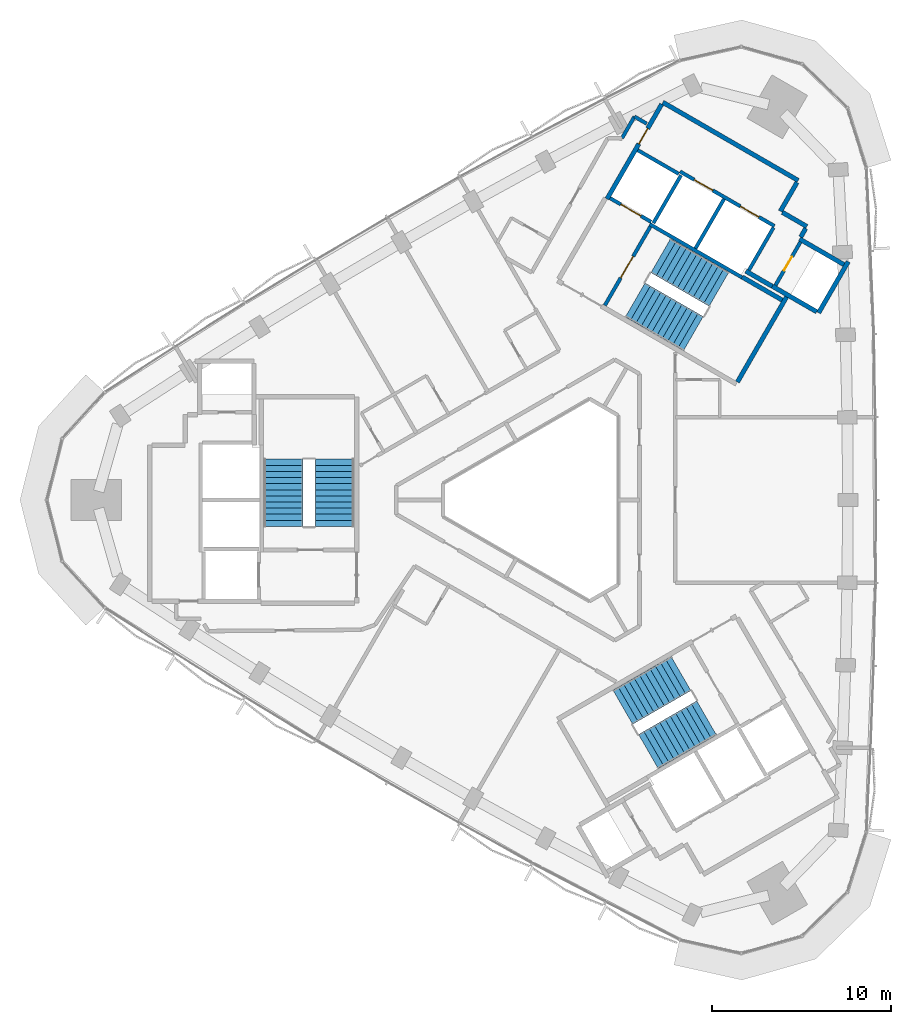
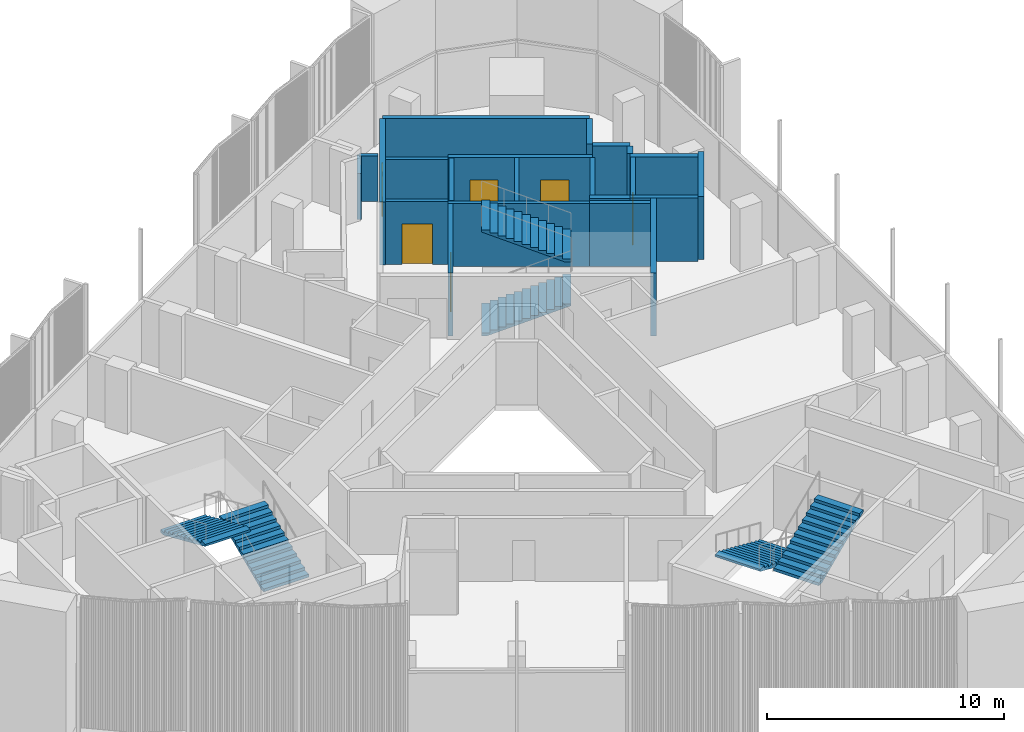
# One storey, part 11 of 14: 22 walls, 6 doors, 6 stair flights, 6 openings, 3 elements without a shape of their own.
"""IFC4 building model written with IfcOpenShell, lengths in metres."""

from ifc_helpers import new_model, si_unit, direction, frame, frame_2d, origin, place, context, subcontext, project, spatial, polyline, rectangle, outline, extrude, material, layer, layer_set, type_object, element, fill, aggregate, save


model = new_model("IFC4")

# Units and contexts
model_context = context("Model", 3, precision=1e-05, world=origin(), true_north=direction((0.0, 1.0)))
body_context = subcontext(model_context, "Body", "Model", "MODEL_VIEW")
ifc_project = project(units=[si_unit("LENGTHUNIT", "METRE"), si_unit("AREAUNIT", "SQUARE_METRE"), si_unit("VOLUMEUNIT", "CUBIC_METRE"), si_unit("PLANEANGLEUNIT", "RADIAN"), si_unit("MASSUNIT", "GRAM", prefix="KILO")], contexts=[model_context])

# Site, building, storey
site_placement = place(None, origin())
site = spatial("IfcSite", under=ifc_project, at=site_placement, CompositionType="ELEMENT")
building_placement = place(site_placement, origin())
building = spatial("IfcBuilding", under=site, at=building_placement, Name="Tamra Quay Hotel Tower", CompositionType="ELEMENT")
storey_placement = place(building_placement, frame((0.0, 0.0, 250.199951171875)))
storey = spatial("IfcBuildingStorey", under=building, at=storey_placement, Name="L63", CompositionType="ELEMENT", Elevation=250.199951171875)

# Wall, openings, doors
ifc_material_1 = material(Name="Concrete M70", Category="concrete")
ifc_layer_1 = layer(ifc_material_1, 0.199951171875)
ifc_layer_set_1 = layer_set([ifc_layer_1], Name="Concrete M70 core wall 200")
wall_type_1 = type_object("IfcWallType", Name="Concrete M70 core wall 200", PredefinedType="SHEAR", material=ifc_layer_set_1)
wall_1_placement = place(storey_placement, frame((12.552490234375, 15.341552734375, 0.0), z_axis=(0.0, 0.0, 1.0), x_axis=(-0.866030299012, 0.499991521122, 0.0)))
wall_1 = element("IfcWall", 1, at=wall_1_placement, inside=storey, type_object=wall_type_1, Name="CW2", PredefinedType="SHEAR", context=body_context, shape_type="SweptSolid", body=[
    extrude(rectangle(XDim=6.10009765625, YDim=0.199951171875, at=frame_2d((3.050048828125, 0.0))), origin(), (0.0, 0.0, 1.0), 3.25),
])
opening_1_placement = place(wall_1_placement, frame((1.0, 0.0, 0.0)))
opening_1 = element("IfcOpeningElement", 2, at=opening_1_placement, cuts=wall_1, Name="Opening LD", PredefinedType="OPENING", context=body_context, shape_type="SweptSolid", body=[
    extrude(rectangle(XDim=1.199951171875, YDim=2.10009765625, at=frame_2d((0.60009765625, 1.050048828125))), frame((0.0, 0.10986328125, 0.0), z_axis=(0.0, -1.0, 0.0), x_axis=(1.0, 0.0, 0.0)), (0.0, 0.0, 1.0), 0.219970703125),
])
opening_2_placement = place(wall_1_placement, frame((3.982177734375, 0.0, 0.0)))
opening_2 = element("IfcOpeningElement", 3, at=opening_2_placement, cuts=wall_1, Name="Opening LD", PredefinedType="OPENING", context=body_context, shape_type="SweptSolid", body=[
    extrude(rectangle(XDim=1.199951171875, YDim=2.10009765625, at=frame_2d((0.60009765625, 1.050048828125))), frame((0.0, 0.10986328125, 0.0), z_axis=(0.0, -1.0, 0.0), x_axis=(1.0, 0.0, 0.0)), (0.0, 0.0, 1.0), 0.219970703125),
])
ifc_material_2 = material(Name="Landing door LD 1200 double door sliding")
door_type_1 = type_object("IfcDoorType", Name="Landing door LD 1200 double door sliding", OperationType="DOUBLE_DOOR_SLIDING", PredefinedType="DOOR", material=ifc_material_2)
door_1_placement = place(opening_1_placement, origin())
door_1 = element("IfcDoor", 4, at=door_1_placement, inside=storey, type_object=door_type_1, Name="LD", OperationType="DOUBLE_DOOR_SLIDING", OverallHeight=2.10009765625, OverallWidth=1.199951171875, PredefinedType="DOOR", context=body_context, shape_type="SweptSolid", body=[
    extrude(rectangle(XDim=1.199951171875, YDim=2.10009765625, at=frame_2d((0.60009765625, 1.050048828125))), frame((0.0, 0.02490234375, 0.0), z_axis=(0.0, -1.0, 0.0), x_axis=(1.0, 0.0, 0.0)), (0.0, 0.0, 1.0), 0.050048828125),
])
fill(opening_1, door_1)
door_2_placement = place(opening_2_placement, origin())
door_2 = element("IfcDoor", 5, at=door_2_placement, inside=storey, type_object=door_type_1, Name="LD", OperationType="DOUBLE_DOOR_SLIDING", OverallHeight=2.10009765625, OverallWidth=1.199951171875, PredefinedType="DOOR", context=body_context, shape_type="SweptSolid", body=[
    extrude(rectangle(XDim=1.199951171875, YDim=2.10009765625, at=frame_2d((0.60009765625, 1.050048828125))), frame((0.0, 0.02490234375, 0.0), z_axis=(0.0, -1.0, 0.0), x_axis=(1.0, 0.0, 0.0)), (0.0, 0.0, 1.0), 0.050048828125),
])
fill(opening_2, door_2)

# Wall
wall_2_placement = place(storey_placement, frame((10.7431640625, 12.4599609375, 0.0), z_axis=(0.0, 0.0, 1.0), x_axis=(-0.866018848283, 0.500011354289, 0.0)))
element("IfcWall", 6, at=wall_2_placement, inside=storey, type_object=wall_type_1, Name="CW2", PredefinedType="SHEAR", context=body_context, shape_type="SweptSolid", body=[
    extrude(rectangle(XDim=5.973876953125, YDim=0.199951171875, at=frame_2d((2.98681640625, 0.0))), origin(), (0.0, 0.0, 1.0), 3.25),
])

# Wall, opening, door
wall_3_placement = place(storey_placement, frame((3.056640625, 10.89453125, 0.0), z_axis=(0.0, 0.0, 1.0), x_axis=(0.500027839223, 0.866009330205, 0.0)))
wall_3 = element("IfcWall", 7, at=wall_3_placement, inside=storey, type_object=wall_type_1, Name="CW2", PredefinedType="SHEAR", context=body_context, shape_type="SweptSolid", body=[
    extrude(rectangle(XDim=5.097900390625, YDim=0.199951171875, at=frame_2d((2.548828125, 0.0))), origin(), (0.0, 0.0, 1.0), 3.25),
])
opening_3_placement = place(wall_3_placement, frame((1.77392578125, 0.0, 0.0)))
opening_3 = element("IfcOpeningElement", 8, at=opening_3_placement, cuts=wall_3, Name="Opening FD2", PredefinedType="OPENING", context=body_context, shape_type="SweptSolid", body=[
    extrude(rectangle(XDim=1.39990234375, YDim=2.10009765625, at=frame_2d((0.699951171875, 1.050048828125))), frame((0.0, 0.10986328125, 0.0), z_axis=(0.0, -1.0, 0.0), x_axis=(1.0, 0.0, 0.0)), (0.0, 0.0, 1.0), 0.219970703125),
])
ifc_material_3 = material(Name="Core door FD2 1400x2100 RH")
door_type_2 = type_object("IfcDoorType", Name="Core door FD2 1400x2100 RH", OperationType="NOTDEFINED", PredefinedType="DOOR", material=ifc_material_3)
door_3_placement = place(opening_3_placement, origin())
door_3 = element("IfcDoor", 9, at=door_3_placement, inside=storey, type_object=door_type_2, Name="FD2", OperationType="SINGLE_SWING_RIGHT", OverallHeight=2.10009765625, OverallWidth=1.39990234375, PredefinedType="DOOR", context=body_context, shape_type="SweptSolid", body=[
    extrude(rectangle(XDim=1.39990234375, YDim=2.10009765625, at=frame_2d((0.699951171875, 1.050048828125))), frame((0.0, 0.02490234375, 0.0), z_axis=(0.0, -1.0, 0.0), x_axis=(1.0, 0.0, 0.0)), (0.0, 0.0, 1.0), 0.050048828125),
])
fill(opening_3, door_3)

# Wall
wall_4_placement = place(storey_placement, frame((8.131591796875, 14.08447265625, 0.0), z_axis=(0.0, 0.0, 1.0), x_axis=(0.500030834389, 0.86600760081, 0.0)))
element("IfcWall", 10, at=wall_4_placement, inside=storey, type_object=wall_type_1, Name="CW2", PredefinedType="SHEAR", context=body_context, shape_type="SweptSolid", body=[
    extrude(rectangle(XDim=3.197998046875, YDim=0.199951171875, at=frame_2d((1.59912109375, 0.0))), origin(), (0.0, 0.0, 1.0), 3.25),
])

# Wall, opening, door
wall_5_placement = place(storey_placement, frame((14.0078125, 14.442138671875, 0.0), z_axis=(0.0, 0.0, 1.0), x_axis=(-0.499986818241, -0.866033014143, 0.0)))
wall_5 = element("IfcWall", 11, at=wall_5_placement, inside=storey, type_object=wall_type_1, Name="CW2", PredefinedType="SHEAR", context=body_context, shape_type="SweptSolid", body=[
    extrude(rectangle(XDim=2.7978515625, YDim=0.199951171875, at=frame_2d((1.39892578125, 0.0))), origin(), (0.0, 0.0, 1.0), 3.25),
])
opening_4_placement = place(wall_5_placement, frame((0.948974609375, 0.0, 0.0)))
opening_4 = element("IfcOpeningElement", 12, at=opening_4_placement, cuts=wall_5, Name="Opening D1", PredefinedType="OPENING", context=body_context, shape_type="SweptSolid", body=[
    extrude(rectangle(XDim=0.89990234375, YDim=2.10009765625, at=frame_2d((0.449951171875, 1.050048828125))), frame((0.0, 0.10986328125, 0.0), z_axis=(0.0, -1.0, 0.0), x_axis=(1.0, 0.0, 0.0)), (0.0, 0.0, 1.0), 0.219970703125),
])
ifc_material_4 = material(Name="Core door D1 900x2100 LH")
door_type_3 = type_object("IfcDoorType", Name="Core door D1 900x2100 LH", OperationType="NOTDEFINED", PredefinedType="DOOR", material=ifc_material_4)
door_4_placement = place(opening_4_placement, origin())
door_4 = element("IfcDoor", 13, at=door_4_placement, inside=storey, type_object=door_type_3, Name="D1", OperationType="SINGLE_SWING_LEFT", OverallHeight=2.10009765625, OverallWidth=0.89990234375, PredefinedType="DOOR", context=body_context, shape_type="SweptSolid", body=[
    extrude(rectangle(XDim=0.89990234375, YDim=2.10009765625, at=frame_2d((0.449951171875, 1.050048828125))), frame((0.0, 0.02490234375, 0.0), z_axis=(0.0, -1.0, 0.0), x_axis=(1.0, 0.0, 0.0)), (0.0, 0.0, 1.0), 0.050048828125),
])
fill(opening_4, door_4)

# Walls
wall_6_placement = place(storey_placement, frame((12.50244140625, 15.2548828125, 0.0), z_axis=(0.0, 0.0, 1.0), x_axis=(-0.499965018551, -0.866045599391, 0.0)))
element("IfcWall", 14, at=wall_6_placement, inside=storey, type_object=wall_type_1, Name="CW2", PredefinedType="SHEAR", context=body_context, shape_type="SweptSolid", body=[
    extrude(rectangle(XDim=2.759033203125, YDim=0.199951171875, at=frame_2d((1.37939453125, 0.0))), origin(), (0.0, 0.0, 1.0), 3.25),
])
wall_7_placement = place(storey_placement, frame((7.324462890625, 18.1865234375, 0.0), z_axis=(0.0, 0.0, 1.0), x_axis=(-0.499967891604, -0.866043940782, 0.0)))
element("IfcWall", 15, at=wall_7_placement, inside=storey, type_object=wall_type_1, Name="CW2", PredefinedType="SHEAR", context=body_context, shape_type="SweptSolid", body=[
    extrude(rectangle(XDim=3.099853515625, YDim=0.199951171875, at=frame_2d((1.5498046875, 0.0))), origin(), (0.0, 0.0, 1.0), 3.25),
])

# Wall, opening, door
wall_8_placement = place(storey_placement, frame((5.646240234375, 15.575927734375, 0.0), z_axis=(0.0, 0.0, 1.0), x_axis=(-0.866018407898, 0.500012117035, 0.0)))
wall_8 = element("IfcWall", 16, at=wall_8_placement, inside=storey, type_object=wall_type_1, Name="CW2", PredefinedType="SHEAR", context=body_context, shape_type="SweptSolid", body=[
    extrude(rectangle(XDim=2.65087890625, YDim=0.199951171875, at=frame_2d((1.325439453125, 0.0))), origin(), (0.0, 0.0, 1.0), 3.25),
])
opening_5_placement = place(wall_8_placement, frame((0.65185546875, 0.0, 0.0)))
opening_5 = element("IfcOpeningElement", 17, at=opening_5_placement, cuts=wall_8, Name="Opening LD", PredefinedType="OPENING", context=body_context, shape_type="SweptSolid", body=[
    extrude(rectangle(XDim=1.300048828125, YDim=2.10009765625, at=frame_2d((0.64990234375, 1.050048828125))), frame((0.0, 0.10986328125, 0.0), z_axis=(0.0, -1.0, 0.0), x_axis=(1.0, 0.0, 0.0)), (0.0, 0.0, 1.0), 0.219970703125),
])
ifc_material_5 = material(Name="Landing door LD 1300 sliding to right")
door_type_4 = type_object("IfcDoorType", Name="Landing door LD 1300 sliding to right", OperationType="NOTDEFINED", PredefinedType="DOOR", material=ifc_material_5)
door_5_placement = place(opening_5_placement, origin())
door_5 = element("IfcDoor", 18, at=door_5_placement, inside=storey, type_object=door_type_4, Name="LD", OperationType="SLIDING_TO_RIGHT", OverallHeight=2.10009765625, OverallWidth=1.300048828125, PredefinedType="DOOR", context=body_context, shape_type="SweptSolid", body=[
    extrude(rectangle(XDim=1.300048828125, YDim=2.10009765625, at=frame_2d((0.64990234375, 1.050048828125))), frame((0.0, 0.02490234375, 0.0), z_axis=(0.0, -1.0, 0.0), x_axis=(1.0, 0.0, 0.0)), (0.0, 0.0, 1.0), 0.050048828125),
])
fill(opening_5, door_5)

# Walls
wall_9_placement = place(storey_placement, frame((7.1962890625, 18.260498046875, 0.0), z_axis=(0.0, 0.0, 1.0), x_axis=(-0.866018407898, 0.500012117035, 0.0)))
element("IfcWall", 19, at=wall_9_placement, inside=storey, type_object=wall_type_1, Name="CW2", PredefinedType="SHEAR", context=body_context, shape_type="SweptSolid", body=[
    extrude(rectangle(XDim=2.65087890625, YDim=0.199951171875, at=frame_2d((1.325439453125, 0.0))), origin(), (0.0, 0.0, 1.0), 3.25),
])
ifc_layer_2 = layer(ifc_material_1, 0.25)
ifc_layer_set_2 = layer_set([ifc_layer_2], Name="Concrete M70 core wall 250")
wall_type_2 = type_object("IfcWallType", Name="Concrete M70 core wall 250", PredefinedType="SHEAR", material=ifc_layer_set_2)
wall_10_placement = place(storey_placement, frame((6.303955078125, 22.268798828125, 0.0), z_axis=(0.0, 0.0, 1.0), x_axis=(0.866022959057, -0.500004234368, 0.0)))
element("IfcWall", 20, at=wall_10_placement, inside=storey, type_object=wall_type_2, Name="CW1", PredefinedType="SHEAR", context=body_context, shape_type="SweptSolid", body=[
    extrude(rectangle(XDim=8.75, YDim=0.25, at=frame_2d((4.375, 0.0))), origin(), (0.0, 0.0, 1.0), 3.25),
])

# Wall, opening, door
wall_11_placement = place(storey_placement, frame((3.178955078125, 16.856201171875, 0.0), z_axis=(0.0, 0.0, 1.0), x_axis=(0.500001955336, 0.866024274868, 0.0)))
wall_11 = element("IfcWall", 21, at=wall_11_placement, inside=storey, type_object=wall_type_2, Name="CW1", PredefinedType="SHEAR", context=body_context, shape_type="SweptSolid", body=[
    extrude(rectangle(XDim=6.12451171875, YDim=0.25, at=frame_2d((3.062255859375, 0.0))), origin(), (0.0, 0.0, 1.0), 3.25),
])
opening_6_placement = place(wall_11_placement, frame((3.562744140625, 0.0, 0.0)))
opening_6 = element("IfcOpeningElement", 22, at=opening_6_placement, cuts=wall_11, Name="Opening FD3", PredefinedType="OPENING", context=body_context, shape_type="SweptSolid", body=[
    extrude(rectangle(XDim=1.0, YDim=2.10009765625, at=frame_2d((0.5, 1.050048828125))), frame((0.0, 0.135009765625, 0.0), z_axis=(0.0, -1.0, 0.0), x_axis=(1.0, 0.0, 0.0)), (0.0, 0.0, 1.0), 0.27001953125),
])
ifc_material_6 = material(Name="Core door FD3 1000x2100 LH")
door_type_5 = type_object("IfcDoorType", Name="Core door FD3 1000x2100 LH", OperationType="NOTDEFINED", PredefinedType="DOOR", material=ifc_material_6)
door_6_placement = place(opening_6_placement, origin())
door_6 = element("IfcDoor", 23, at=door_6_placement, inside=storey, type_object=door_type_5, Name="FD3", OperationType="SINGLE_SWING_LEFT", OverallHeight=2.10009765625, OverallWidth=1.0, PredefinedType="DOOR", context=body_context, shape_type="SweptSolid", body=[
    extrude(rectangle(XDim=1.0, YDim=2.10009765625, at=frame_2d((0.5, 1.050048828125))), frame((0.0, 0.02490234375, 0.0), z_axis=(0.0, -1.0, 0.0), x_axis=(1.0, 0.0, 0.0)), (0.0, 0.0, 1.0), 0.050048828125),
])
fill(opening_6, door_6)

# Walls
wall_12_placement = place(storey_placement, frame((13.237548828125, 11.3779296875, 0.0), z_axis=(0.0, 0.0, 1.0), x_axis=(-0.500008851346, -0.866020293397, 0.0)))
element("IfcWall", 24, at=wall_12_placement, inside=storey, type_object=wall_type_2, Name="CW1", PredefinedType="SHEAR", context=body_context, shape_type="SweptSolid", body=[
    extrude(rectangle(XDim=5.509765625, YDim=0.25, at=frame_2d((2.7548828125, 0.0))), origin(), (0.0, 0.0, 1.0), 3.25),
])
wall_13_placement = place(storey_placement, frame((16.68359375, 13.3466796875, 0.0), z_axis=(0.0, 0.0, 1.0), x_axis=(-0.499998874531, -0.866026053573, 0.0)))
element("IfcWall", 25, at=wall_13_placement, inside=storey, type_object=wall_type_2, Name="CW1", PredefinedType="SHEAR", context=body_context, shape_type="SweptSolid", body=[
    extrude(rectangle(XDim=3.31298828125, YDim=0.25, at=frame_2d((1.656494140625, 0.0))), origin(), (0.0, 0.0, 1.0), 3.25),
])
wall_14_placement = place(storey_placement, frame((14.91845703125, 10.540283203125, 0.0), z_axis=(0.0, 0.0, 1.0), x_axis=(-0.866063538972, 0.499933942099, 0.0)))
element("IfcWall", 26, at=wall_14_placement, inside=storey, type_object=wall_type_2, Name="CW1", PredefinedType="SHEAR", context=body_context, shape_type="SweptSolid", body=[
    extrude(rectangle(XDim=2.86474609375, YDim=0.25, at=frame_2d((1.432373046875, 0.0))), origin(), (0.0, 0.0, 1.0), 3.25),
])
wall_15_placement = place(storey_placement, frame((13.962646484375, 14.61376953125, 0.0), z_axis=(0.0, 0.0, 1.0), x_axis=(0.866042235819, -0.499970844928, 0.0)))
element("IfcWall", 27, at=wall_15_placement, inside=storey, type_object=wall_type_2, Name="CW1", PredefinedType="SHEAR", context=body_context, shape_type="SweptSolid", body=[
    extrude(rectangle(XDim=2.864501953125, YDim=0.25, at=frame_2d((1.43212890625, 0.0))), origin(), (0.0, 0.0, 1.0), 3.25),
])
wall_16_placement = place(storey_placement, frame((10.756591796875, 12.481201171875, 0.0), z_axis=(0.0, 0.0, 1.0), x_axis=(0.866022940537, -0.500004266446, 0.0)))
element("IfcWall", 28, at=wall_16_placement, inside=storey, type_object=wall_type_2, Name="CW1", PredefinedType="SHEAR", context=body_context, shape_type="SweptSolid", body=[
    extrude(rectangle(XDim=2.57470703125, YDim=0.25, at=frame_2d((1.287353515625, 0.0))), origin(), (0.0, 0.0, 1.0), 3.25),
])
wall_17_placement = place(storey_placement, frame((13.819091796875, 17.78515625, 0.0), z_axis=(0.0, 0.0, 1.0), x_axis=(-0.500039802285, -0.866002422705, 0.0)))
element("IfcWall", 29, at=wall_17_placement, inside=storey, type_object=wall_type_2, Name="CW1", PredefinedType="SHEAR", context=body_context, shape_type="SweptSolid", body=[
    extrude(rectangle(XDim=1.864501953125, YDim=0.25, at=frame_2d((0.93212890625, 0.0))), origin(), (0.0, 0.0, 1.0), 3.25),
])
wall_18_placement = place(storey_placement, frame((12.4326171875, 11.9638671875, 0.0), z_axis=(0.0, 0.0, 1.0), x_axis=(-0.866038183914, 0.499977863513, 0.0)))
element("IfcWall", 30, at=wall_18_placement, inside=storey, type_object=wall_type_2, Name="CW1", PredefinedType="SHEAR", context=body_context, shape_type="SweptSolid", body=[
    extrude(rectangle(XDim=1.7099609375, YDim=0.25, at=frame_2d((0.85498046875, 0.0))), origin(), (0.0, 0.0, 1.0), 3.25),
])
wall_19_placement = place(storey_placement, frame((12.995361328125, 16.107666015625, 0.0), z_axis=(0.0, 0.0, 1.0), x_axis=(0.866044474677, -0.49996696679, 0.0)))
element("IfcWall", 31, at=wall_19_placement, inside=storey, type_object=wall_type_2, Name="CW1", PredefinedType="SHEAR", context=body_context, shape_type="SweptSolid", body=[
    extrude(rectangle(XDim=1.58447265625, YDim=0.25, at=frame_2d((0.792236328125, 0.0))), origin(), (0.0, 0.0, 1.0), 3.25),
])
wall_20_placement = place(storey_placement, frame((14.304931640625, 15.206787109375, 0.0), z_axis=(0.0, 0.0, 1.0), x_axis=(-0.499848422343, -0.866112899501, 0.0)))
element("IfcWall", 32, at=wall_20_placement, inside=storey, type_object=wall_type_2, Name="CW1", PredefinedType="SHEAR", context=body_context, shape_type="SweptSolid", body=[
    extrude(rectangle(XDim=0.559326171875, YDim=0.25, at=frame_2d((0.27978515625, 0.0))), origin(), (0.0, 0.0, 1.0), 3.25),
])
ifc_material_7 = material(Name="Partition corridor wall")
ifc_layer_3 = layer(ifc_material_7, 0.199951171875)
ifc_layer_set_3 = layer_set([ifc_layer_3], Name="Partition corridor wall")
wall_type_3 = type_object("IfcWallType", Name="Partition corridor wall", PredefinedType="PARTITIONING", material=ifc_layer_set_3)
wall_21_placement = place(storey_placement, frame((4.01611328125, 20.256103515625, 0.0), z_axis=(0.0, 0.0, 1.0), x_axis=(0.500135180047, 0.865947343479, 0.0)))
element("IfcWall", 33, at=wall_21_placement, inside=storey, type_object=wall_type_3, Name="W-C", PredefinedType="PARTITIONING", context=body_context, shape_type="SweptSolid", body=[
    extrude(rectangle(XDim=1.3994140625, YDim=0.199951171875, at=frame_2d((0.69970703125, 0.0))), origin(), (0.0, 0.0, 1.0), 2.35009765625),
])
wall_22_placement = place(storey_placement, frame((4.716064453125, 21.468017578125, 0.0), z_axis=(0.0, 0.0, 1.0), x_axis=(0.865912682783, -0.500195187698, 0.0)))
element("IfcWall", 34, at=wall_22_placement, inside=storey, type_object=wall_type_3, Name="W-C", PredefinedType="PARTITIONING", context=body_context, shape_type="SweptSolid", body=[
    extrude(rectangle(XDim=0.789794921875, YDim=0.199951171875, at=frame_2d((0.39501953125, 0.0))), origin(), (0.0, 0.0, 1.0), 2.35009765625),
])

# Stair, stair flights
ifc_material_8 = material(Name="Exit stair 2200 24 risers 150.0 going 342")
stair_type = type_object("IfcStairType", Name="Exit stair 2200 24 risers 150.0 going 342", PredefinedType="HALF_TURN_STAIR", material=ifc_material_8)
stair_1_placement = place(storey_placement, origin())
stair_1 = element("IfcStair", 35, at=stair_1_placement, inside=storey, type_object=stair_type, Name="L63 Exit stair ST3", PredefinedType="HALF_TURN_STAIR")
ifc_material_9 = material(Name="Exit stair flight 2200 12 risers 150.0")
stair_flight_type = type_object("IfcStairFlightType", Name="Exit stair flight 2200 12 risers 150.0", PredefinedType="STRAIGHT", material=ifc_material_9)
stair_flight_1_placement = place(storey_placement, frame((-12.082275390625, -1.47998046875, 0.0), z_axis=(0.0, 0.0, 1.0), x_axis=(0.0, 1.0, 0.0)))
stair_flight_1 = element("IfcStairFlight", 36, at=stair_flight_1_placement, type_object=stair_flight_type, Name="ST3 flight 1", NumberOfRisers=12, NumberOfTreads=11, PredefinedType="STRAIGHT", RiserHeight=0.15, TreadLength=0.342, context=body_context, shape_type="SweptSolid", body=[
    extrude(outline(polyline([(0.0, 0.0), (0.0, 0.14990234375), (0.342041015625, 0.14990234375), (0.342041015625, 0.300048828125), (0.68408203125, 0.300048828125), (0.68408203125, 0.449951171875), (1.02587890625, 0.449951171875), (1.02587890625, 0.60009765625), (1.367919921875, 0.60009765625), (1.367919921875, 0.75), (1.7099609375, 0.75), (1.7099609375, 0.89990234375), (2.052001953125, 0.89990234375), (2.052001953125, 1.050048828125), (2.39404296875, 1.050048828125), (2.39404296875, 1.199951171875), (2.736083984375, 1.199951171875), (2.736083984375, 1.35009765625), (3.077880859375, 1.35009765625), (3.077880859375, 1.5), (3.419921875, 1.5), (3.419921875, 1.64990234375), (3.761962890625, 1.64990234375), (3.761962890625, 1.800048828125), (3.761962890625, 1.540771484375), (0.249267578125, 0.0), (0.0, 0.0)])), frame((0.0, 1.10009765625, 0.0), z_axis=(0.0, -1.0, 0.0), x_axis=(1.0, 0.0, 0.0)), (0.0, 0.0, 1.0), 2.199951171875),
])
stair_flight_2_placement = place(storey_placement, frame((-14.94140625, 2.281982421875, 1.800048828125), z_axis=(0.0, 0.0, 1.0), x_axis=(0.0, -1.0, 0.0)))
stair_flight_2 = element("IfcStairFlight", 37, at=stair_flight_2_placement, type_object=stair_flight_type, Name="ST3 flight 2", NumberOfRisers=12, NumberOfTreads=11, PredefinedType="STRAIGHT", RiserHeight=0.15, TreadLength=0.342, context=body_context, shape_type="SweptSolid", body=[
    extrude(outline(polyline([(0.0, 0.0), (0.0, 0.14990234375), (0.342041015625, 0.14990234375), (0.342041015625, 0.300048828125), (0.68408203125, 0.300048828125), (0.68408203125, 0.449951171875), (1.02587890625, 0.449951171875), (1.02587890625, 0.60009765625), (1.367919921875, 0.60009765625), (1.367919921875, 0.75), (1.7099609375, 0.75), (1.7099609375, 0.89990234375), (2.052001953125, 0.89990234375), (2.052001953125, 1.050048828125), (2.39404296875, 1.050048828125), (2.39404296875, 1.199951171875), (2.736083984375, 1.199951171875), (2.736083984375, 1.35009765625), (3.077880859375, 1.35009765625), (3.077880859375, 1.5), (3.419921875, 1.5), (3.419921875, 1.64990234375), (3.761962890625, 1.64990234375), (3.761962890625, 1.800048828125), (3.761962890625, 1.540771484375), (0.249267578125, 0.0), (0.0, 0.0)])), frame((0.0, 1.10009765625, 0.0), z_axis=(0.0, -1.0, 0.0), x_axis=(1.0, 0.0, 0.0)), (0.0, 0.0, 1.0), 2.199951171875),
])
aggregate(stair_1, [stair_flight_1, stair_flight_2])

stair_2_placement = place(storey_placement, origin())
stair_2 = element("IfcStair", 38, at=stair_2_placement, inside=storey, type_object=stair_type, Name="L63 Exit stair ST1", PredefinedType="HALF_TURN_STAIR")
stair_flight_3_placement = place(storey_placement, frame((4.75927734375, 11.20361328125, 0.0), z_axis=(0.0, 0.0, 1.0), x_axis=(0.866025403784, -0.5, 0.0)))
stair_flight_3 = element("IfcStairFlight", 39, at=stair_flight_3_placement, type_object=stair_flight_type, Name="ST1 flight 1", NumberOfRisers=12, NumberOfTreads=11, PredefinedType="STRAIGHT", RiserHeight=0.15, TreadLength=0.342, context=body_context, shape_type="SweptSolid", body=[
    extrude(outline(polyline([(0.0, 0.0), (0.0, 0.14990234375), (0.342041015625, 0.14990234375), (0.342041015625, 0.300048828125), (0.68408203125, 0.300048828125), (0.68408203125, 0.449951171875), (1.02587890625, 0.449951171875), (1.02587890625, 0.60009765625), (1.367919921875, 0.60009765625), (1.367919921875, 0.75), (1.7099609375, 0.75), (1.7099609375, 0.89990234375), (2.052001953125, 0.89990234375), (2.052001953125, 1.050048828125), (2.39404296875, 1.050048828125), (2.39404296875, 1.199951171875), (2.736083984375, 1.199951171875), (2.736083984375, 1.35009765625), (3.077880859375, 1.35009765625), (3.077880859375, 1.5), (3.419921875, 1.5), (3.419921875, 1.64990234375), (3.761962890625, 1.64990234375), (3.761962890625, 1.800048828125), (3.761962890625, 1.540771484375), (0.249267578125, 0.0), (0.0, 0.0)])), frame((0.0, 1.10009765625, 0.0), z_axis=(0.0, -1.0, 0.0), x_axis=(1.0, 0.0, 0.0)), (0.0, 0.0, 1.0), 2.199951171875),
])
stair_flight_4_placement = place(storey_placement, frame((9.44677734375, 11.798583984375, 1.800048828125), z_axis=(0.0, 0.0, 1.0), x_axis=(-0.866025403784, 0.5, 0.0)))
stair_flight_4 = element("IfcStairFlight", 40, at=stair_flight_4_placement, type_object=stair_flight_type, Name="ST1 flight 2", NumberOfRisers=12, NumberOfTreads=11, PredefinedType="STRAIGHT", RiserHeight=0.15, TreadLength=0.342, context=body_context, shape_type="SweptSolid", body=[
    extrude(outline(polyline([(0.0, 0.0), (0.0, 0.14990234375), (0.342041015625, 0.14990234375), (0.342041015625, 0.300048828125), (0.68408203125, 0.300048828125), (0.68408203125, 0.449951171875), (1.02587890625, 0.449951171875), (1.02587890625, 0.60009765625), (1.367919921875, 0.60009765625), (1.367919921875, 0.75), (1.7099609375, 0.75), (1.7099609375, 0.89990234375), (2.052001953125, 0.89990234375), (2.052001953125, 1.050048828125), (2.39404296875, 1.050048828125), (2.39404296875, 1.199951171875), (2.736083984375, 1.199951171875), (2.736083984375, 1.35009765625), (3.077880859375, 1.35009765625), (3.077880859375, 1.5), (3.419921875, 1.5), (3.419921875, 1.64990234375), (3.761962890625, 1.64990234375), (3.761962890625, 1.800048828125), (3.761962890625, 1.540771484375), (0.249267578125, 0.0), (0.0, 0.0)])), frame((0.0, 1.10009765625, 0.0), z_axis=(0.0, -1.0, 0.0), x_axis=(1.0, 0.0, 0.0)), (0.0, 0.0, 1.0), 2.199951171875),
])
aggregate(stair_2, [stair_flight_3, stair_flight_4])

stair_3_placement = place(storey_placement, origin())
stair_3 = element("IfcStair", 41, at=stair_3_placement, inside=storey, type_object=stair_type, Name="L63 Exit stair ST2", PredefinedType="HALF_TURN_STAIR")
stair_flight_5_placement = place(storey_placement, frame((7.322998046875, -9.7236328125, 0.0), z_axis=(0.0, 0.0, 1.0), x_axis=(-0.866025403784, -0.5, 0.0)))
stair_flight_5 = element("IfcStairFlight", 42, at=stair_flight_5_placement, type_object=stair_flight_type, Name="ST2 flight 1", NumberOfRisers=12, NumberOfTreads=11, PredefinedType="STRAIGHT", RiserHeight=0.15, TreadLength=0.342, context=body_context, shape_type="SweptSolid", body=[
    extrude(outline(polyline([(0.0, 0.0), (0.0, 0.14990234375), (0.342041015625, 0.14990234375), (0.342041015625, 0.300048828125), (0.68408203125, 0.300048828125), (0.68408203125, 0.449951171875), (1.02587890625, 0.449951171875), (1.02587890625, 0.60009765625), (1.367919921875, 0.60009765625), (1.367919921875, 0.75), (1.7099609375, 0.75), (1.7099609375, 0.89990234375), (2.052001953125, 0.89990234375), (2.052001953125, 1.050048828125), (2.39404296875, 1.050048828125), (2.39404296875, 1.199951171875), (2.736083984375, 1.199951171875), (2.736083984375, 1.35009765625), (3.077880859375, 1.35009765625), (3.077880859375, 1.5), (3.419921875, 1.5), (3.419921875, 1.64990234375), (3.761962890625, 1.64990234375), (3.761962890625, 1.800048828125), (3.761962890625, 1.540771484375), (0.249267578125, 0.0), (0.0, 0.0)])), frame((0.0, 1.10009765625, 0.0), z_axis=(0.0, -1.0, 0.0), x_axis=(1.0, 0.0, 0.0)), (0.0, 0.0, 1.0), 2.199951171875),
])
stair_flight_6_placement = place(storey_placement, frame((5.494384765625, -14.08056640625, 1.800048828125), z_axis=(0.0, 0.0, 1.0), x_axis=(0.866025403784, 0.5, 0.0)))
stair_flight_6 = element("IfcStairFlight", 43, at=stair_flight_6_placement, type_object=stair_flight_type, Name="ST2 flight 2", NumberOfRisers=12, NumberOfTreads=11, PredefinedType="STRAIGHT", RiserHeight=0.15, TreadLength=0.342, context=body_context, shape_type="SweptSolid", body=[
    extrude(outline(polyline([(0.0, 0.0), (0.0, 0.14990234375), (0.342041015625, 0.14990234375), (0.342041015625, 0.300048828125), (0.68408203125, 0.300048828125), (0.68408203125, 0.449951171875), (1.02587890625, 0.449951171875), (1.02587890625, 0.60009765625), (1.367919921875, 0.60009765625), (1.367919921875, 0.75), (1.7099609375, 0.75), (1.7099609375, 0.89990234375), (2.052001953125, 0.89990234375), (2.052001953125, 1.050048828125), (2.39404296875, 1.050048828125), (2.39404296875, 1.199951171875), (2.736083984375, 1.199951171875), (2.736083984375, 1.35009765625), (3.077880859375, 1.35009765625), (3.077880859375, 1.5), (3.419921875, 1.5), (3.419921875, 1.64990234375), (3.761962890625, 1.64990234375), (3.761962890625, 1.800048828125), (3.761962890625, 1.540771484375), (0.249267578125, 0.0), (0.0, 0.0)])), frame((0.0, 1.10009765625, 0.0), z_axis=(0.0, -1.0, 0.0), x_axis=(1.0, 0.0, 0.0)), (0.0, 0.0, 1.0), 2.199951171875),
])
aggregate(stair_3, [stair_flight_5, stair_flight_6])

save(model, "model.ifc")
